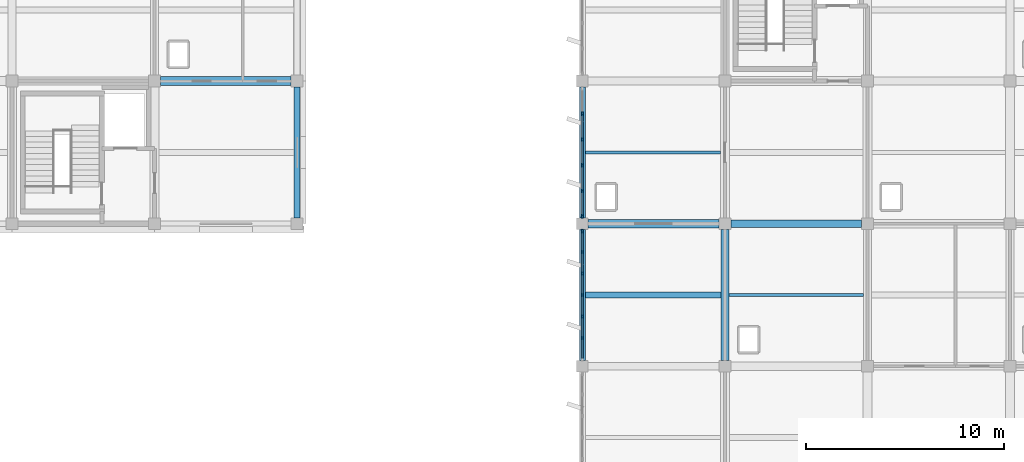
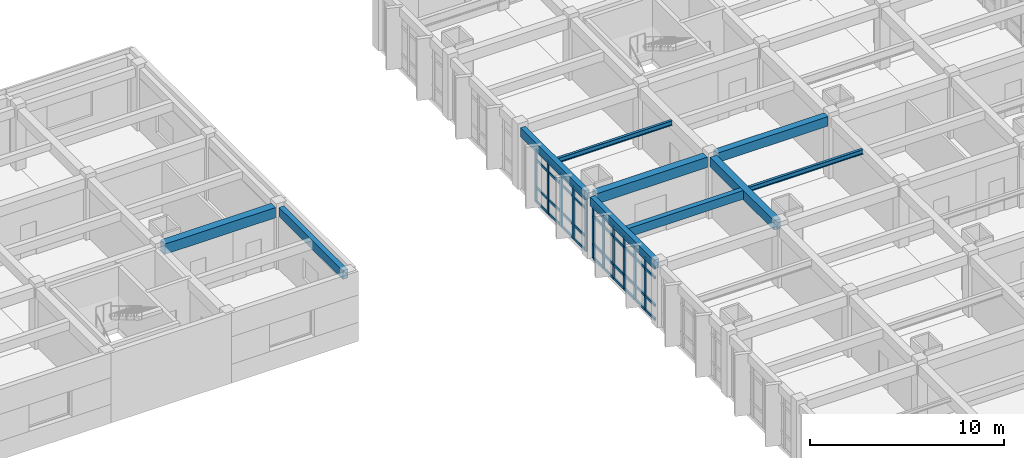
# One storey, part 17 of 62: 53 members, 8 beams, 2 elements without a shape of their own.
"""IFC4 building model written with IfcOpenShell, lengths in metres."""

from ifc_helpers import new_model, si_unit, direction, frame, origin, origin_2d, place, context, subcontext, project, spatial, rectangle, i_section, extrude, material, layer, layer_set, material_profile, profile_set, type_object, element, aggregate, save


model = new_model("IFC4")

# Units and contexts
model_context = context("Model", 3, precision=1e-05, world=origin(), true_north=direction((0.0, 1.0)))
body_context = subcontext(model_context, "Body", "Model", "MODEL_VIEW")
ifc_project = project(units=[si_unit("LENGTHUNIT", "METRE"), si_unit("AREAUNIT", "SQUARE_METRE"), si_unit("VOLUMEUNIT", "CUBIC_METRE"), si_unit("PLANEANGLEUNIT", "RADIAN"), si_unit("MASSUNIT", "GRAM", prefix="KILO")], contexts=[model_context])

# Site, building, storey
site_placement = place(None, origin())
site = spatial("IfcSite", under=ifc_project, at=site_placement, CompositionType="ELEMENT")
building_placement = place(site_placement, origin())
building = spatial("IfcBuilding", under=site, at=building_placement, Name="Kavelor Marine Aquarium", CompositionType="ELEMENT")
storey_placement = place(building_placement, frame((0.0, 0.0, 13.5)))
storey = spatial("IfcBuildingStorey", under=building, at=storey_placement, Name="L03", CompositionType="ELEMENT", Elevation=13.5)

# Beams
ifc_material_1 = material(Name="Concrete C40/50", Category="concrete")
ifc_material_profile_1 = material_profile(ifc_material_1, rectangle(XDim=0.449951171875, YDim=0.64990234375, at=origin_2d()), Name="RC-BM 450x650")
ifc_profile_set_1 = profile_set([ifc_material_profile_1], Name="Concrete C40/50")
beam_type_1 = type_object("IfcBeamType", Name="BM-B3", PredefinedType="BEAM", material=ifc_profile_set_1)
beam_1_placement = place(storey_placement, frame((97.10009765625, 96.39990234375, 3.554931640625), z_axis=(1.0, 0.0, 0.0), x_axis=(0.0, 1.0, 0.0)))
element("IfcBeam", 1, at=beam_1_placement, inside=storey, type_object=beam_type_1, Name="bm:x:L03:L04:13_13", PredefinedType="BEAM", context=body_context, shape_type="SweptSolid", body=[
    extrude(rectangle(XDim=0.449951171875, YDim=0.64990234375, at=origin_2d()), origin(), (0.0, 0.0, 1.0), 6.599853515625),
])
beam_2_placement = place(storey_placement, frame((118.699951171875, 89.199951171875, 3.534912109375), z_axis=(1.0, 0.0, 0.0), x_axis=(0.0, 1.0, 0.0)))
element("IfcBeam", 2, at=beam_2_placement, inside=storey, type_object=beam_type_1, Name="bm:x:L03:L04:16_12", PredefinedType="BEAM", context=body_context, shape_type="SweptSolid", body=[
    extrude(rectangle(XDim=0.449951171875, YDim=0.64990234375, at=origin_2d()), origin(), (0.0, 0.0, 1.0), 6.60009765625),
])
ifc_material_2 = material(Name="Concrete C40/50", Category="concrete")
ifc_material_profile_2 = material_profile(ifc_material_2, rectangle(XDim=0.39990234375, YDim=0.60009765625, at=origin_2d()), Name="RC-BM 400x600")
ifc_profile_set_2 = profile_set([ifc_material_profile_2], Name="Concrete C40/50")
beam_type_2 = type_object("IfcBeamType", Name="BM-B4", PredefinedType="BEAM", material=ifc_profile_set_2)
beam_3_placement = place(storey_placement, frame((125.89990234375, 89.199951171875, 3.580078125), z_axis=(1.0, 0.0, 0.0), x_axis=(0.0, 1.0, 0.0)))
element("IfcBeam", 3, at=beam_3_placement, inside=storey, type_object=beam_type_2, Name="bm:x:L03:L04:17_12", PredefinedType="BEAM", context=body_context, shape_type="SweptSolid", body=[
    extrude(rectangle(XDim=0.39990234375, YDim=0.60009765625, at=origin_2d()), origin(), (0.0, 0.0, 1.0), 6.60009765625),
])
beam_4_placement = place(storey_placement, frame((125.60009765625, 82.300048828125, 3.56005859375), z_axis=(0.0, 1.0, 0.0), x_axis=(-1.0, 0.0, 0.0)))
element("IfcBeam", 4, at=beam_4_placement, inside=storey, type_object=beam_type_2, Name="bm:y:L03:L04:17_11", PredefinedType="BEAM", context=body_context, shape_type="SweptSolid", body=[
    extrude(rectangle(XDim=0.39990234375, YDim=0.60009765625, at=origin_2d()), origin(), (0.0, 0.0, 1.0), 6.599853515625),
])
ifc_material_3 = material(Name="Concrete C40/50", Category="concrete")
ifc_material_profile_3 = material_profile(ifc_material_3, rectangle(XDim=0.300048828125, YDim=0.550048828125, at=origin_2d()), Name="RC-JS 300x550")
ifc_profile_set_3 = profile_set([ifc_material_profile_3], Name="Concrete C40/50")
beam_type_3 = type_object("IfcBeamType", Name="BM-JS2", PredefinedType="JOIST", material=ifc_profile_set_3)
beam_5_placement = place(storey_placement, frame((118.550048828125, 85.60009765625, 3.5849609375), z_axis=(1.0, 0.0, 0.0), x_axis=(0.0, 1.0, 0.0)))
element("IfcBeam", 5, at=beam_5_placement, inside=storey, type_object=beam_type_3, Name="js:L03:L04:16_11", PredefinedType="JOIST", context=body_context, shape_type="SweptSolid", body=[
    extrude(rectangle(XDim=0.300048828125, YDim=0.550048828125, at=origin_2d()), origin(), (0.0, 0.0, 1.0), 6.849853515625),
])
ifc_material_4 = material(Name="Concrete C40/50", Category="concrete")
ifc_material_profile_4 = material_profile(ifc_material_4, rectangle(XDim=0.300048828125, YDim=0.550048828125, at=origin_2d()), Name="RC-SP 300x550")
ifc_profile_set_4 = profile_set([ifc_material_profile_4], Name="Concrete C40/50")
beam_type_4 = type_object("IfcBeamType", Name="BM-SP2", PredefinedType="SPANDREL", material=ifc_profile_set_4)
beam_6_placement = place(storey_placement, frame((104.0, 89.5, 3.60498046875), z_axis=(0.0, 1.0, 0.0), x_axis=(-1.0, 0.0, 0.0)))
element("IfcBeam", 6, at=beam_6_placement, inside=storey, type_object=beam_type_4, Name="bm:y:L03:L04:14_12", PredefinedType="SPANDREL", context=body_context, shape_type="SweptSolid", body=[
    extrude(rectangle(XDim=0.300048828125, YDim=0.550048828125, at=origin_2d()), origin(), (0.0, 0.0, 1.0), 6.60009765625),
])
beam_7_placement = place(storey_placement, frame((118.39990234375, 82.300048828125, 3.5849609375), z_axis=(0.0, 1.0, 0.0), x_axis=(-1.0, 0.0, 0.0)))
element("IfcBeam", 7, at=beam_7_placement, inside=storey, type_object=beam_type_4, Name="bm:y:L03:L04:16_11", PredefinedType="SPANDREL", context=body_context, shape_type="SweptSolid", body=[
    extrude(rectangle(XDim=0.300048828125, YDim=0.550048828125, at=origin_2d()), origin(), (0.0, 0.0, 1.0), 6.599853515625),
])
beam_8_placement = place(storey_placement, frame((118.39990234375, 89.5, 3.5849609375), z_axis=(0.0, 1.0, 0.0), x_axis=(-1.0, 0.0, 0.0)))
element("IfcBeam", 8, at=beam_8_placement, inside=storey, type_object=beam_type_4, Name="bm:y:L03:L04:16_12", PredefinedType="SPANDREL", context=body_context, shape_type="SweptSolid", body=[
    extrude(rectangle(XDim=0.300048828125, YDim=0.550048828125, at=origin_2d()), origin(), (0.0, 0.0, 1.0), 6.60009765625),
])

# Curtain wall, members
ifc_material_5 = material(Name="Thermally Broken Aluminium and Low-E Glass", Category="aluminium")
ifc_layer_1 = layer(ifc_material_5, 0.179931640625)
ifc_layer_set_1 = layer_set([ifc_layer_1], Name="CW-SYS5")
curtain_wall_type_1 = type_object("IfcCurtainWallType", Name="CW-SYS5", PredefinedType="USERDEFINED", material=ifc_layer_set_1)
curtain_wall_1_placement = place(storey_placement, origin())
curtain_wall_1 = element("IfcCurtainWall", 9, at=curtain_wall_1_placement, inside=storey, type_object=curtain_wall_type_1, Name="cw:y:L03:16_11", ObjectType="Curtain Wall", PredefinedType="USERDEFINED")
ifc_material_6 = material(Name="Anodised Aluminium Alloy 6063-T6", Category="aluminium")
ifc_material_profile_5 = material_profile(ifc_material_6, rectangle(XDim=0.080078125, YDim=0.18505859375, at=origin_2d()), Name="CW-MUL 80x185")
ifc_profile_set_5 = profile_set([ifc_material_profile_5], Name="Anodised Aluminium Alloy 6063-T6")
member_type_1 = type_object("IfcMemberType", Name="CWM-2", PredefinedType="MULLION", material=ifc_profile_set_5)
member_1_placement = place(storey_placement, frame((118.39990234375, 88.822509765625, 0.0), z_axis=(0.0, 0.0, 1.0), x_axis=(1.0, 0.0, 0.0)))
member_1 = element("IfcMember", 10, at=member_1_placement, type_object=member_type_1, Name="CW05 mullion 1", PredefinedType="MULLION", context=body_context, shape_type="SweptSolid", body=[
    extrude(rectangle(XDim=0.080078125, YDim=0.18505859375, at=origin_2d()), origin(), (0.0, 0.0, 1.0), 3.300048828125),
])
member_2_placement = place(storey_placement, frame((118.39990234375, 87.77001953125, 0.0), z_axis=(0.0, 0.0, 1.0), x_axis=(1.0, 0.0, 0.0)))
member_2 = element("IfcMember", 11, at=member_2_placement, type_object=member_type_1, Name="CW05 mullion 2", PredefinedType="MULLION", context=body_context, shape_type="SweptSolid", body=[
    extrude(rectangle(XDim=0.080078125, YDim=0.18505859375, at=origin_2d()), origin(), (0.0, 0.0, 1.0), 3.300048828125),
])
member_3_placement = place(storey_placement, frame((118.39990234375, 86.68505859375, 0.0), z_axis=(0.0, 0.0, 1.0), x_axis=(1.0, 0.0, 0.0)))
member_3 = element("IfcMember", 12, at=member_3_placement, type_object=member_type_1, Name="CW05 mullion 3", PredefinedType="MULLION", context=body_context, shape_type="SweptSolid", body=[
    extrude(rectangle(XDim=0.080078125, YDim=0.18505859375, at=origin_2d()), origin(), (0.0, 0.0, 1.0), 3.300048828125),
])
member_4_placement = place(storey_placement, frame((118.39990234375, 85.60009765625, 0.0), z_axis=(0.0, 0.0, 1.0), x_axis=(1.0, 0.0, 0.0)))
member_4 = element("IfcMember", 13, at=member_4_placement, type_object=member_type_1, Name="CW05 mullion 4", PredefinedType="MULLION", context=body_context, shape_type="SweptSolid", body=[
    extrude(rectangle(XDim=0.080078125, YDim=0.18505859375, at=origin_2d()), origin(), (0.0, 0.0, 1.0), 3.300048828125),
])
member_5_placement = place(storey_placement, frame((118.39990234375, 84.514892578125, 0.0), z_axis=(0.0, 0.0, 1.0), x_axis=(1.0, 0.0, 0.0)))
member_5 = element("IfcMember", 14, at=member_5_placement, type_object=member_type_1, Name="CW05 mullion 5", PredefinedType="MULLION", context=body_context, shape_type="SweptSolid", body=[
    extrude(rectangle(XDim=0.080078125, YDim=0.18505859375, at=origin_2d()), origin(), (0.0, 0.0, 1.0), 3.300048828125),
])
member_6_placement = place(storey_placement, frame((118.39990234375, 83.429931640625, 0.0), z_axis=(0.0, 0.0, 1.0), x_axis=(1.0, 0.0, 0.0)))
member_6 = element("IfcMember", 15, at=member_6_placement, type_object=member_type_1, Name="CW05 mullion 6", PredefinedType="MULLION", context=body_context, shape_type="SweptSolid", body=[
    extrude(rectangle(XDim=0.080078125, YDim=0.18505859375, at=origin_2d()), origin(), (0.0, 0.0, 1.0), 3.300048828125),
])

ifc_material_7 = material(Name="Thermally Broken Aluminium and Low-E Glass", Category="aluminium")
ifc_layer_2 = layer(ifc_material_7, 0.18798828125)
ifc_layer_set_2 = layer_set([ifc_layer_2], Name="CW-SYS6")
curtain_wall_type_2 = type_object("IfcCurtainWallType", Name="CW-SYS6", PredefinedType="USERDEFINED", material=ifc_layer_set_2)
curtain_wall_2_placement = place(storey_placement, origin())
curtain_wall_2 = element("IfcCurtainWall", 16, at=curtain_wall_2_placement, inside=storey, type_object=curtain_wall_type_2, Name="cw:y:L03:16_12", ObjectType="Curtain Wall", PredefinedType="USERDEFINED")
ifc_material_8 = material(Name="Anodised Aluminium Alloy 6063-T6", Category="aluminium")
ifc_material_profile_6 = material_profile(ifc_material_8, rectangle(XDim=0.0849609375, YDim=0.18994140625, at=origin_2d()), Name="CW-MUL 85x190")
ifc_profile_set_6 = profile_set([ifc_material_profile_6], Name="Anodised Aluminium Alloy 6063-T6")
member_type_2 = type_object("IfcMemberType", Name="CWM-3", PredefinedType="MULLION", material=ifc_profile_set_6)
member_7_placement = place(storey_placement, frame((118.39990234375, 94.7529296875, 0.0), z_axis=(0.0, 0.0, 1.0), x_axis=(1.0, 0.0, 0.0)))
member_7 = element("IfcMember", 17, at=member_7_placement, type_object=member_type_2, Name="CW06 mullion 2", PredefinedType="MULLION", context=body_context, shape_type="SweptSolid", body=[
    extrude(rectangle(XDim=0.0849609375, YDim=0.18994140625, at=origin_2d()), origin(), (0.0, 0.0, 1.0), 3.300048828125),
])
member_8_placement = place(storey_placement, frame((118.39990234375, 93.450927734375, 0.0), z_axis=(0.0, 0.0, 1.0), x_axis=(1.0, 0.0, 0.0)))
member_8 = element("IfcMember", 18, at=member_8_placement, type_object=member_type_2, Name="CW06 mullion 3", PredefinedType="MULLION", context=body_context, shape_type="SweptSolid", body=[
    extrude(rectangle(XDim=0.0849609375, YDim=0.18994140625, at=origin_2d()), origin(), (0.0, 0.0, 1.0), 3.300048828125),
])
member_9_placement = place(storey_placement, frame((118.39990234375, 92.14892578125, 0.0), z_axis=(0.0, 0.0, 1.0), x_axis=(1.0, 0.0, 0.0)))
member_9 = element("IfcMember", 19, at=member_9_placement, type_object=member_type_2, Name="CW06 mullion 4", PredefinedType="MULLION", context=body_context, shape_type="SweptSolid", body=[
    extrude(rectangle(XDim=0.0849609375, YDim=0.18994140625, at=origin_2d()), origin(), (0.0, 0.0, 1.0), 3.300048828125),
])
member_10_placement = place(storey_placement, frame((118.39990234375, 90.846923828125, 0.0), z_axis=(0.0, 0.0, 1.0), x_axis=(1.0, 0.0, 0.0)))
member_10 = element("IfcMember", 20, at=member_10_placement, type_object=member_type_2, Name="CW06 mullion 5", PredefinedType="MULLION", context=body_context, shape_type="SweptSolid", body=[
    extrude(rectangle(XDim=0.0849609375, YDim=0.18994140625, at=origin_2d()), origin(), (0.0, 0.0, 1.0), 3.300048828125),
])
member_11_placement = place(storey_placement, frame((118.39990234375, 89.574951171875, 0.0), z_axis=(0.0, 0.0, 1.0), x_axis=(1.0, 0.0, 0.0)))
member_11 = element("IfcMember", 21, at=member_11_placement, type_object=member_type_2, Name="CW06 mullion 6", PredefinedType="MULLION", context=body_context, shape_type="SweptSolid", body=[
    extrude(rectangle(XDim=0.0849609375, YDim=0.18994140625, at=origin_2d()), origin(), (0.0, 0.0, 1.0), 3.300048828125),
])
ifc_material_9 = material(Name="Anodised Aluminium Alloy 6063-T6", Category="aluminium")
ifc_material_profile_7 = material_profile(ifc_material_9, rectangle(XDim=0.074951171875, YDim=0.14990234375, at=origin_2d()), Name="CW-TRN 75x150")
ifc_profile_set_7 = profile_set([ifc_material_profile_7], Name="Anodised Aluminium Alloy 6063-T6")
member_type_3 = type_object("IfcMemberType", Name="CWT-1", PredefinedType="USERDEFINED", material=ifc_profile_set_7)
member_12_placement = place(storey_placement, frame((118.39990234375, 94.722900390625, 0.03759765625), z_axis=(0.0, -1.0, 0.0), x_axis=(1.0, 0.0, 0.0)))
member_12 = element("IfcMember", 22, at=member_12_placement, type_object=member_type_3, Name="CW06 transom 2.1", ObjectType="TRANSOM", PredefinedType="USERDEFINED", context=body_context, shape_type="SweptSolid", body=[
    extrude(rectangle(XDim=0.074951171875, YDim=0.14990234375, at=origin_2d()), origin(), (0.0, 0.0, 1.0), 1.241943359375),
])
member_13_placement = place(storey_placement, frame((118.39990234375, 94.722900390625, 0.89990234375), z_axis=(0.0, -1.0, 0.0), x_axis=(1.0, 0.0, 0.0)))
member_13 = element("IfcMember", 23, at=member_13_placement, type_object=member_type_3, Name="CW06 transom 2.2", ObjectType="TRANSOM", PredefinedType="USERDEFINED", context=body_context, shape_type="SweptSolid", body=[
    extrude(rectangle(XDim=0.074951171875, YDim=0.14990234375, at=origin_2d()), origin(), (0.0, 0.0, 1.0), 1.241943359375),
])
member_14_placement = place(storey_placement, frame((118.39990234375, 94.722900390625, 2.64990234375), z_axis=(0.0, -1.0, 0.0), x_axis=(1.0, 0.0, 0.0)))
member_14 = element("IfcMember", 24, at=member_14_placement, type_object=member_type_3, Name="CW06 transom 2.3", ObjectType="TRANSOM", PredefinedType="USERDEFINED", context=body_context, shape_type="SweptSolid", body=[
    extrude(rectangle(XDim=0.074951171875, YDim=0.14990234375, at=origin_2d()), origin(), (0.0, 0.0, 1.0), 1.241943359375),
])
member_15_placement = place(storey_placement, frame((118.39990234375, 94.722900390625, 3.262451171875), z_axis=(0.0, -1.0, 0.0), x_axis=(1.0, 0.0, 0.0)))
member_15 = element("IfcMember", 25, at=member_15_placement, type_object=member_type_3, Name="CW06 transom 2.4", ObjectType="TRANSOM", PredefinedType="USERDEFINED", context=body_context, shape_type="SweptSolid", body=[
    extrude(rectangle(XDim=0.074951171875, YDim=0.14990234375, at=origin_2d()), origin(), (0.0, 0.0, 1.0), 1.241943359375),
])
member_16_placement = place(storey_placement, frame((118.39990234375, 93.4208984375, 0.03759765625), z_axis=(0.0, -1.0, 0.0), x_axis=(1.0, 0.0, 0.0)))
member_16 = element("IfcMember", 26, at=member_16_placement, type_object=member_type_3, Name="CW06 transom 3.1", ObjectType="TRANSOM", PredefinedType="USERDEFINED", context=body_context, shape_type="SweptSolid", body=[
    extrude(rectangle(XDim=0.074951171875, YDim=0.14990234375, at=origin_2d()), origin(), (0.0, 0.0, 1.0), 1.241943359375),
])
member_17_placement = place(storey_placement, frame((118.39990234375, 93.4208984375, 0.89990234375), z_axis=(0.0, -1.0, 0.0), x_axis=(1.0, 0.0, 0.0)))
member_17 = element("IfcMember", 27, at=member_17_placement, type_object=member_type_3, Name="CW06 transom 3.2", ObjectType="TRANSOM", PredefinedType="USERDEFINED", context=body_context, shape_type="SweptSolid", body=[
    extrude(rectangle(XDim=0.074951171875, YDim=0.14990234375, at=origin_2d()), origin(), (0.0, 0.0, 1.0), 1.241943359375),
])
member_18_placement = place(storey_placement, frame((118.39990234375, 93.4208984375, 2.64990234375), z_axis=(0.0, -1.0, 0.0), x_axis=(1.0, 0.0, 0.0)))
member_18 = element("IfcMember", 28, at=member_18_placement, type_object=member_type_3, Name="CW06 transom 3.3", ObjectType="TRANSOM", PredefinedType="USERDEFINED", context=body_context, shape_type="SweptSolid", body=[
    extrude(rectangle(XDim=0.074951171875, YDim=0.14990234375, at=origin_2d()), origin(), (0.0, 0.0, 1.0), 1.241943359375),
])
member_19_placement = place(storey_placement, frame((118.39990234375, 93.4208984375, 3.262451171875), z_axis=(0.0, -1.0, 0.0), x_axis=(1.0, 0.0, 0.0)))
member_19 = element("IfcMember", 29, at=member_19_placement, type_object=member_type_3, Name="CW06 transom 3.4", ObjectType="TRANSOM", PredefinedType="USERDEFINED", context=body_context, shape_type="SweptSolid", body=[
    extrude(rectangle(XDim=0.074951171875, YDim=0.14990234375, at=origin_2d()), origin(), (0.0, 0.0, 1.0), 1.241943359375),
])
member_20_placement = place(storey_placement, frame((118.39990234375, 92.118896484375, 0.03759765625), z_axis=(0.0, -1.0, 0.0), x_axis=(1.0, 0.0, 0.0)))
member_20 = element("IfcMember", 30, at=member_20_placement, type_object=member_type_3, Name="CW06 transom 4.1", ObjectType="TRANSOM", PredefinedType="USERDEFINED", context=body_context, shape_type="SweptSolid", body=[
    extrude(rectangle(XDim=0.074951171875, YDim=0.14990234375, at=origin_2d()), origin(), (0.0, 0.0, 1.0), 1.241943359375),
])
member_21_placement = place(storey_placement, frame((118.39990234375, 92.118896484375, 0.89990234375), z_axis=(0.0, -1.0, 0.0), x_axis=(1.0, 0.0, 0.0)))
member_21 = element("IfcMember", 31, at=member_21_placement, type_object=member_type_3, Name="CW06 transom 4.2", ObjectType="TRANSOM", PredefinedType="USERDEFINED", context=body_context, shape_type="SweptSolid", body=[
    extrude(rectangle(XDim=0.074951171875, YDim=0.14990234375, at=origin_2d()), origin(), (0.0, 0.0, 1.0), 1.241943359375),
])
member_22_placement = place(storey_placement, frame((118.39990234375, 92.118896484375, 2.64990234375), z_axis=(0.0, -1.0, 0.0), x_axis=(1.0, 0.0, 0.0)))
member_22 = element("IfcMember", 32, at=member_22_placement, type_object=member_type_3, Name="CW06 transom 4.3", ObjectType="TRANSOM", PredefinedType="USERDEFINED", context=body_context, shape_type="SweptSolid", body=[
    extrude(rectangle(XDim=0.074951171875, YDim=0.14990234375, at=origin_2d()), origin(), (0.0, 0.0, 1.0), 1.241943359375),
])
member_23_placement = place(storey_placement, frame((118.39990234375, 92.118896484375, 3.262451171875), z_axis=(0.0, -1.0, 0.0), x_axis=(1.0, 0.0, 0.0)))
member_23 = element("IfcMember", 33, at=member_23_placement, type_object=member_type_3, Name="CW06 transom 4.4", ObjectType="TRANSOM", PredefinedType="USERDEFINED", context=body_context, shape_type="SweptSolid", body=[
    extrude(rectangle(XDim=0.074951171875, YDim=0.14990234375, at=origin_2d()), origin(), (0.0, 0.0, 1.0), 1.241943359375),
])
member_24_placement = place(storey_placement, frame((118.39990234375, 90.81689453125, 0.03759765625), z_axis=(0.0, -1.0, 0.0), x_axis=(1.0, 0.0, 0.0)))
member_24 = element("IfcMember", 34, at=member_24_placement, type_object=member_type_3, Name="CW06 transom 5.1", ObjectType="TRANSOM", PredefinedType="USERDEFINED", context=body_context, shape_type="SweptSolid", body=[
    extrude(rectangle(XDim=0.074951171875, YDim=0.14990234375, at=origin_2d()), origin(), (0.0, 0.0, 1.0), 1.2119140625),
])
member_25_placement = place(storey_placement, frame((118.39990234375, 90.81689453125, 0.89990234375), z_axis=(0.0, -1.0, 0.0), x_axis=(1.0, 0.0, 0.0)))
member_25 = element("IfcMember", 35, at=member_25_placement, type_object=member_type_3, Name="CW06 transom 5.2", ObjectType="TRANSOM", PredefinedType="USERDEFINED", context=body_context, shape_type="SweptSolid", body=[
    extrude(rectangle(XDim=0.074951171875, YDim=0.14990234375, at=origin_2d()), origin(), (0.0, 0.0, 1.0), 1.2119140625),
])
member_26_placement = place(storey_placement, frame((118.39990234375, 90.81689453125, 2.64990234375), z_axis=(0.0, -1.0, 0.0), x_axis=(1.0, 0.0, 0.0)))
member_26 = element("IfcMember", 36, at=member_26_placement, type_object=member_type_3, Name="CW06 transom 5.3", ObjectType="TRANSOM", PredefinedType="USERDEFINED", context=body_context, shape_type="SweptSolid", body=[
    extrude(rectangle(XDim=0.074951171875, YDim=0.14990234375, at=origin_2d()), origin(), (0.0, 0.0, 1.0), 1.2119140625),
])
member_27_placement = place(storey_placement, frame((118.39990234375, 90.81689453125, 3.262451171875), z_axis=(0.0, -1.0, 0.0), x_axis=(1.0, 0.0, 0.0)))
member_27 = element("IfcMember", 37, at=member_27_placement, type_object=member_type_3, Name="CW06 transom 5.4", ObjectType="TRANSOM", PredefinedType="USERDEFINED", context=body_context, shape_type="SweptSolid", body=[
    extrude(rectangle(XDim=0.074951171875, YDim=0.14990234375, at=origin_2d()), origin(), (0.0, 0.0, 1.0), 1.2119140625),
])
aggregate(curtain_wall_2, [member_7, member_8, member_9, member_10, member_11, member_12, member_13, member_14, member_15, member_16, member_17, member_18, member_19, member_20, member_21, member_22, member_23, member_24, member_25, member_26, member_27])

# Member
ifc_material_10 = material(Name="Anodised Aluminium Alloy 6063-T6", Category="aluminium")
ifc_material_profile_8 = material_profile(ifc_material_10, rectangle(XDim=0.0849609375, YDim=0.159912109375, at=origin_2d()), Name="CW-TRN 85x160")
ifc_profile_set_8 = profile_set([ifc_material_profile_8], Name="Anodised Aluminium Alloy 6063-T6")
member_type_4 = type_object("IfcMemberType", Name="CWT-3", PredefinedType="USERDEFINED", material=ifc_profile_set_8)
member_28_placement = place(storey_placement, frame((118.39990234375, 88.7900390625, 0.030029296875), z_axis=(0.0, -1.0, 0.0), x_axis=(1.0, 0.0, 0.0)))
member_28 = element("IfcMember", 38, at=member_28_placement, type_object=member_type_4, Name="CW05 transom 1.1", ObjectType="TRANSOM", PredefinedType="USERDEFINED", context=body_context, shape_type="SweptSolid", body=[
    extrude(rectangle(XDim=0.0849609375, YDim=0.159912109375, at=origin_2d()), origin(), (0.0, 0.0, 1.0), 0.987548828125),
])

member_29_placement = place(storey_placement, frame((118.39990234375, 88.7900390625, 0.89990234375), z_axis=(0.0, -1.0, 0.0), x_axis=(1.0, 0.0, 0.0)))
member_29 = element("IfcMember", 39, at=member_29_placement, type_object=member_type_4, Name="CW05 transom 1.2", ObjectType="TRANSOM", PredefinedType="USERDEFINED", context=body_context, shape_type="SweptSolid", body=[
    extrude(rectangle(XDim=0.0849609375, YDim=0.159912109375, at=origin_2d()), origin(), (0.0, 0.0, 1.0), 0.987548828125),
])

member_30_placement = place(storey_placement, frame((118.39990234375, 88.7900390625, 2.64990234375), z_axis=(0.0, -1.0, 0.0), x_axis=(1.0, 0.0, 0.0)))
member_30 = element("IfcMember", 40, at=member_30_placement, type_object=member_type_4, Name="CW05 transom 1.3", ObjectType="TRANSOM", PredefinedType="USERDEFINED", context=body_context, shape_type="SweptSolid", body=[
    extrude(rectangle(XDim=0.0849609375, YDim=0.159912109375, at=origin_2d()), origin(), (0.0, 0.0, 1.0), 0.987548828125),
])

member_31_placement = place(storey_placement, frame((118.39990234375, 88.7900390625, 3.27001953125), z_axis=(0.0, -1.0, 0.0), x_axis=(1.0, 0.0, 0.0)))
member_31 = element("IfcMember", 41, at=member_31_placement, type_object=member_type_4, Name="CW05 transom 1.4", ObjectType="TRANSOM", PredefinedType="USERDEFINED", context=body_context, shape_type="SweptSolid", body=[
    extrude(rectangle(XDim=0.0849609375, YDim=0.159912109375, at=origin_2d()), origin(), (0.0, 0.0, 1.0), 0.987548828125),
])

member_32_placement = place(storey_placement, frame((118.39990234375, 87.737548828125, 0.030029296875), z_axis=(0.0, -1.0, 0.0), x_axis=(1.0, 0.0, 0.0)))
member_32 = element("IfcMember", 42, at=member_32_placement, type_object=member_type_4, Name="CW05 transom 2.1", ObjectType="TRANSOM", PredefinedType="USERDEFINED", context=body_context, shape_type="SweptSolid", body=[
    extrude(rectangle(XDim=0.0849609375, YDim=0.159912109375, at=origin_2d()), origin(), (0.0, 0.0, 1.0), 1.02001953125),
])

member_33_placement = place(storey_placement, frame((118.39990234375, 87.737548828125, 0.89990234375), z_axis=(0.0, -1.0, 0.0), x_axis=(1.0, 0.0, 0.0)))
member_33 = element("IfcMember", 43, at=member_33_placement, type_object=member_type_4, Name="CW05 transom 2.2", ObjectType="TRANSOM", PredefinedType="USERDEFINED", context=body_context, shape_type="SweptSolid", body=[
    extrude(rectangle(XDim=0.0849609375, YDim=0.159912109375, at=origin_2d()), origin(), (0.0, 0.0, 1.0), 1.02001953125),
])

member_34_placement = place(storey_placement, frame((118.39990234375, 87.737548828125, 2.64990234375), z_axis=(0.0, -1.0, 0.0), x_axis=(1.0, 0.0, 0.0)))
member_34 = element("IfcMember", 44, at=member_34_placement, type_object=member_type_4, Name="CW05 transom 2.3", ObjectType="TRANSOM", PredefinedType="USERDEFINED", context=body_context, shape_type="SweptSolid", body=[
    extrude(rectangle(XDim=0.0849609375, YDim=0.159912109375, at=origin_2d()), origin(), (0.0, 0.0, 1.0), 1.02001953125),
])

member_35_placement = place(storey_placement, frame((118.39990234375, 87.737548828125, 3.27001953125), z_axis=(0.0, -1.0, 0.0), x_axis=(1.0, 0.0, 0.0)))
member_35 = element("IfcMember", 45, at=member_35_placement, type_object=member_type_4, Name="CW05 transom 2.4", ObjectType="TRANSOM", PredefinedType="USERDEFINED", context=body_context, shape_type="SweptSolid", body=[
    extrude(rectangle(XDim=0.0849609375, YDim=0.159912109375, at=origin_2d()), origin(), (0.0, 0.0, 1.0), 1.02001953125),
])

member_36_placement = place(storey_placement, frame((118.39990234375, 86.652587890625, 0.030029296875), z_axis=(0.0, -1.0, 0.0), x_axis=(1.0, 0.0, 0.0)))
member_36 = element("IfcMember", 46, at=member_36_placement, type_object=member_type_4, Name="CW05 transom 3.1", ObjectType="TRANSOM", PredefinedType="USERDEFINED", context=body_context, shape_type="SweptSolid", body=[
    extrude(rectangle(XDim=0.0849609375, YDim=0.159912109375, at=origin_2d()), origin(), (0.0, 0.0, 1.0), 1.02001953125),
])

member_37_placement = place(storey_placement, frame((118.39990234375, 86.652587890625, 0.89990234375), z_axis=(0.0, -1.0, 0.0), x_axis=(1.0, 0.0, 0.0)))
member_37 = element("IfcMember", 47, at=member_37_placement, type_object=member_type_4, Name="CW05 transom 3.2", ObjectType="TRANSOM", PredefinedType="USERDEFINED", context=body_context, shape_type="SweptSolid", body=[
    extrude(rectangle(XDim=0.0849609375, YDim=0.159912109375, at=origin_2d()), origin(), (0.0, 0.0, 1.0), 1.02001953125),
])

member_38_placement = place(storey_placement, frame((118.39990234375, 86.652587890625, 2.64990234375), z_axis=(0.0, -1.0, 0.0), x_axis=(1.0, 0.0, 0.0)))
member_38 = element("IfcMember", 48, at=member_38_placement, type_object=member_type_4, Name="CW05 transom 3.3", ObjectType="TRANSOM", PredefinedType="USERDEFINED", context=body_context, shape_type="SweptSolid", body=[
    extrude(rectangle(XDim=0.0849609375, YDim=0.159912109375, at=origin_2d()), origin(), (0.0, 0.0, 1.0), 1.02001953125),
])

member_39_placement = place(storey_placement, frame((118.39990234375, 86.652587890625, 3.27001953125), z_axis=(0.0, -1.0, 0.0), x_axis=(1.0, 0.0, 0.0)))
member_39 = element("IfcMember", 49, at=member_39_placement, type_object=member_type_4, Name="CW05 transom 3.4", ObjectType="TRANSOM", PredefinedType="USERDEFINED", context=body_context, shape_type="SweptSolid", body=[
    extrude(rectangle(XDim=0.0849609375, YDim=0.159912109375, at=origin_2d()), origin(), (0.0, 0.0, 1.0), 1.02001953125),
])

member_40_placement = place(storey_placement, frame((118.39990234375, 85.5673828125, 0.030029296875), z_axis=(0.0, -1.0, 0.0), x_axis=(1.0, 0.0, 0.0)))
member_40 = element("IfcMember", 50, at=member_40_placement, type_object=member_type_4, Name="CW05 transom 4.1", ObjectType="TRANSOM", PredefinedType="USERDEFINED", context=body_context, shape_type="SweptSolid", body=[
    extrude(rectangle(XDim=0.0849609375, YDim=0.159912109375, at=origin_2d()), origin(), (0.0, 0.0, 1.0), 1.019775390625),
])

member_41_placement = place(storey_placement, frame((118.39990234375, 85.5673828125, 0.89990234375), z_axis=(0.0, -1.0, 0.0), x_axis=(1.0, 0.0, 0.0)))
member_41 = element("IfcMember", 51, at=member_41_placement, type_object=member_type_4, Name="CW05 transom 4.2", ObjectType="TRANSOM", PredefinedType="USERDEFINED", context=body_context, shape_type="SweptSolid", body=[
    extrude(rectangle(XDim=0.0849609375, YDim=0.159912109375, at=origin_2d()), origin(), (0.0, 0.0, 1.0), 1.019775390625),
])

member_42_placement = place(storey_placement, frame((118.39990234375, 85.5673828125, 2.64990234375), z_axis=(0.0, -1.0, 0.0), x_axis=(1.0, 0.0, 0.0)))
member_42 = element("IfcMember", 52, at=member_42_placement, type_object=member_type_4, Name="CW05 transom 4.3", ObjectType="TRANSOM", PredefinedType="USERDEFINED", context=body_context, shape_type="SweptSolid", body=[
    extrude(rectangle(XDim=0.0849609375, YDim=0.159912109375, at=origin_2d()), origin(), (0.0, 0.0, 1.0), 1.019775390625),
])

member_43_placement = place(storey_placement, frame((118.39990234375, 85.5673828125, 3.27001953125), z_axis=(0.0, -1.0, 0.0), x_axis=(1.0, 0.0, 0.0)))
member_43 = element("IfcMember", 53, at=member_43_placement, type_object=member_type_4, Name="CW05 transom 4.4", ObjectType="TRANSOM", PredefinedType="USERDEFINED", context=body_context, shape_type="SweptSolid", body=[
    extrude(rectangle(XDim=0.0849609375, YDim=0.159912109375, at=origin_2d()), origin(), (0.0, 0.0, 1.0), 1.019775390625),
])

member_44_placement = place(storey_placement, frame((118.39990234375, 84.482421875, 0.030029296875), z_axis=(0.0, -1.0, 0.0), x_axis=(1.0, 0.0, 0.0)))
member_44 = element("IfcMember", 54, at=member_44_placement, type_object=member_type_4, Name="CW05 transom 5.1", ObjectType="TRANSOM", PredefinedType="USERDEFINED", context=body_context, shape_type="SweptSolid", body=[
    extrude(rectangle(XDim=0.0849609375, YDim=0.159912109375, at=origin_2d()), origin(), (0.0, 0.0, 1.0), 1.02001953125),
])

member_45_placement = place(storey_placement, frame((118.39990234375, 84.482421875, 0.89990234375), z_axis=(0.0, -1.0, 0.0), x_axis=(1.0, 0.0, 0.0)))
member_45 = element("IfcMember", 55, at=member_45_placement, type_object=member_type_4, Name="CW05 transom 5.2", ObjectType="TRANSOM", PredefinedType="USERDEFINED", context=body_context, shape_type="SweptSolid", body=[
    extrude(rectangle(XDim=0.0849609375, YDim=0.159912109375, at=origin_2d()), origin(), (0.0, 0.0, 1.0), 1.02001953125),
])

member_46_placement = place(storey_placement, frame((118.39990234375, 84.482421875, 2.64990234375), z_axis=(0.0, -1.0, 0.0), x_axis=(1.0, 0.0, 0.0)))
member_46 = element("IfcMember", 56, at=member_46_placement, type_object=member_type_4, Name="CW05 transom 5.3", ObjectType="TRANSOM", PredefinedType="USERDEFINED", context=body_context, shape_type="SweptSolid", body=[
    extrude(rectangle(XDim=0.0849609375, YDim=0.159912109375, at=origin_2d()), origin(), (0.0, 0.0, 1.0), 1.02001953125),
])

member_47_placement = place(storey_placement, frame((118.39990234375, 84.482421875, 3.27001953125), z_axis=(0.0, -1.0, 0.0), x_axis=(1.0, 0.0, 0.0)))
member_47 = element("IfcMember", 57, at=member_47_placement, type_object=member_type_4, Name="CW05 transom 5.4", ObjectType="TRANSOM", PredefinedType="USERDEFINED", context=body_context, shape_type="SweptSolid", body=[
    extrude(rectangle(XDim=0.0849609375, YDim=0.159912109375, at=origin_2d()), origin(), (0.0, 0.0, 1.0), 1.02001953125),
])

member_48_placement = place(storey_placement, frame((118.39990234375, 83.3974609375, 0.030029296875), z_axis=(0.0, -1.0, 0.0), x_axis=(1.0, 0.0, 0.0)))
member_48 = element("IfcMember", 58, at=member_48_placement, type_object=member_type_4, Name="CW05 transom 6.1", ObjectType="TRANSOM", PredefinedType="USERDEFINED", context=body_context, shape_type="SweptSolid", body=[
    extrude(rectangle(XDim=0.0849609375, YDim=0.159912109375, at=origin_2d()), origin(), (0.0, 0.0, 1.0), 0.987548828125),
])

member_49_placement = place(storey_placement, frame((118.39990234375, 83.3974609375, 0.89990234375), z_axis=(0.0, -1.0, 0.0), x_axis=(1.0, 0.0, 0.0)))
member_49 = element("IfcMember", 59, at=member_49_placement, type_object=member_type_4, Name="CW05 transom 6.2", ObjectType="TRANSOM", PredefinedType="USERDEFINED", context=body_context, shape_type="SweptSolid", body=[
    extrude(rectangle(XDim=0.0849609375, YDim=0.159912109375, at=origin_2d()), origin(), (0.0, 0.0, 1.0), 0.987548828125),
])

member_50_placement = place(storey_placement, frame((118.39990234375, 83.3974609375, 2.64990234375), z_axis=(0.0, -1.0, 0.0), x_axis=(1.0, 0.0, 0.0)))
member_50 = element("IfcMember", 60, at=member_50_placement, type_object=member_type_4, Name="CW05 transom 6.3", ObjectType="TRANSOM", PredefinedType="USERDEFINED", context=body_context, shape_type="SweptSolid", body=[
    extrude(rectangle(XDim=0.0849609375, YDim=0.159912109375, at=origin_2d()), origin(), (0.0, 0.0, 1.0), 0.987548828125),
])

member_51_placement = place(storey_placement, frame((118.39990234375, 83.3974609375, 3.27001953125), z_axis=(0.0, -1.0, 0.0), x_axis=(1.0, 0.0, 0.0)))
member_51 = element("IfcMember", 61, at=member_51_placement, type_object=member_type_4, Name="CW05 transom 6.4", ObjectType="TRANSOM", PredefinedType="USERDEFINED", context=body_context, shape_type="SweptSolid", body=[
    extrude(rectangle(XDim=0.0849609375, YDim=0.159912109375, at=origin_2d()), origin(), (0.0, 0.0, 1.0), 0.987548828125),
])

aggregate(curtain_wall_1, [member_1, member_2, member_3, member_4, member_5, member_6, member_28, member_29, member_30, member_31, member_32, member_33, member_34, member_35, member_36, member_37, member_38, member_39, member_40, member_41, member_42, member_43, member_44, member_45, member_46, member_47, member_48, member_49, member_50, member_51])

# Members
ifc_material_11 = material(Name="Steel S355", Category="steel")
ifc_material_profile_9 = material_profile(ifc_material_11, i_section(OverallWidth=0.14990234375, OverallDepth=0.300048828125, WebThickness=0.007080078125, FlangeThickness=0.0107421875, FilletRadius=0.014892578125, at=origin_2d()), Name="IPE 300")
ifc_profile_set_9 = profile_set([ifc_material_profile_9], Name="Steel S355")
member_type_5 = type_object("IfcMemberType", Name="PR-SJ4", PredefinedType="PURLIN", material=ifc_profile_set_9)
member_52_placement = place(storey_placement, frame((118.550048828125, 92.800048828125, 3.7099609375), z_axis=(1.0, 0.0, 0.0), x_axis=(0.0, 1.0, 0.0)))
element("IfcMember", 62, at=member_52_placement, inside=storey, type_object=member_type_5, Name="js:L03:L04:16_12", PredefinedType="PURLIN", context=body_context, shape_type="SweptSolid", body=[
    extrude(i_section(OverallWidth=0.14990234375, OverallDepth=0.300048828125, WebThickness=0.007080078125, FlangeThickness=0.0107421875, FilletRadius=0.014892578125, at=origin_2d()), origin(), (0.0, 0.0, 1.0), 6.824951171875),
])
member_53_placement = place(storey_placement, frame((125.800048828125, 85.60009765625, 3.72998046875), z_axis=(1.0, 0.0, 0.0), x_axis=(0.0, 1.0, 0.0)))
element("IfcMember", 63, at=member_53_placement, inside=storey, type_object=member_type_5, Name="js:L03:L04:17_11", PredefinedType="PURLIN", context=body_context, shape_type="SweptSolid", body=[
    extrude(i_section(OverallWidth=0.14990234375, OverallDepth=0.300048828125, WebThickness=0.007080078125, FlangeThickness=0.0107421875, FilletRadius=0.014892578125, at=origin_2d()), origin(), (0.0, 0.0, 1.0), 6.800048828125),
])

save(model, "model.ifc")
